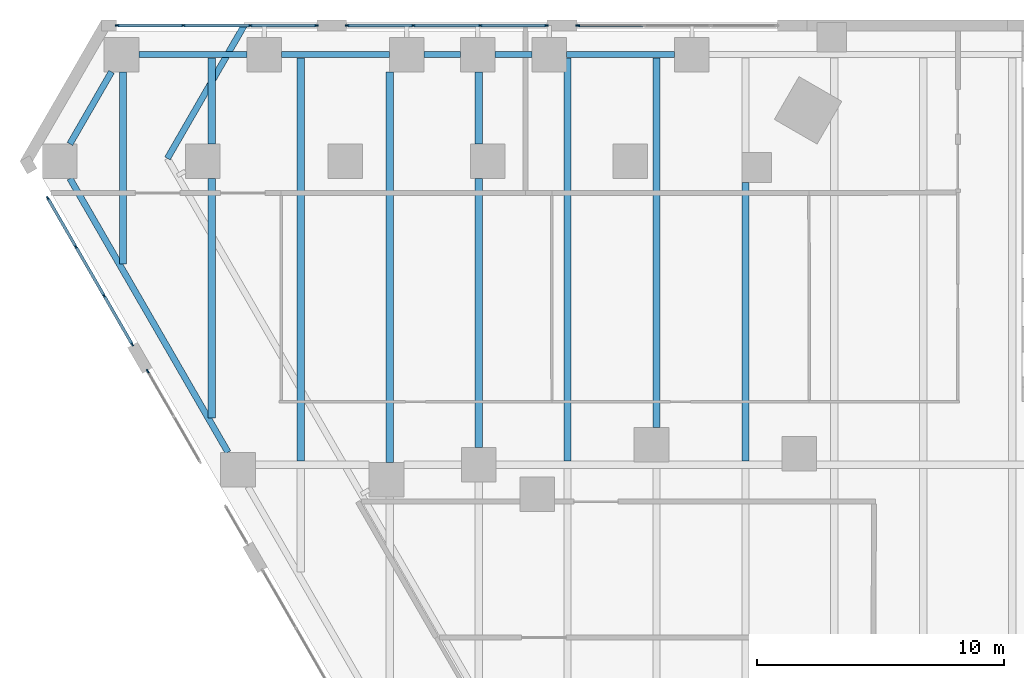
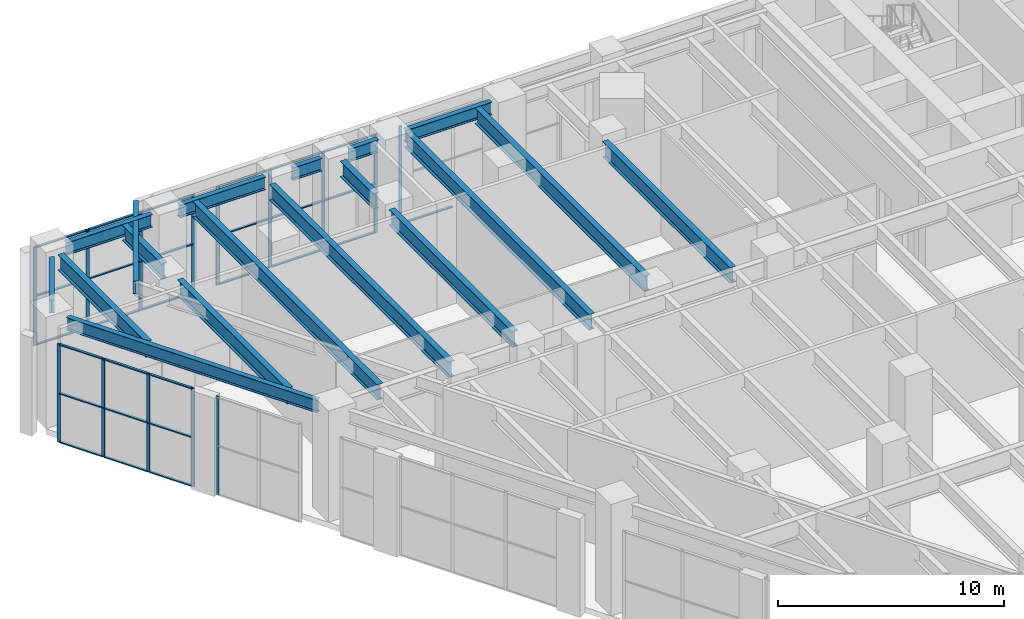
# One storey, part 15 of 37: 42 members, 18 beams, 5 elements without a shape of their own.
"""IFC4 building model written with IfcOpenShell, lengths in metres."""

from ifc_helpers import new_model, si_unit, direction, frame, origin, origin_2d, place, context, subcontext, project, spatial, rectangle, i_section, extrude, material, material_profile, profile_set, type_object, element, aggregate, save


model = new_model("IFC4")

# Units and contexts
model_context = context("Model", 3, precision=1e-05, world=origin(), true_north=direction((0.0, 1.0)))
body_context = subcontext(model_context, "Body", "Model", "MODEL_VIEW")
ifc_project = project(units=[si_unit("LENGTHUNIT", "METRE"), si_unit("AREAUNIT", "SQUARE_METRE"), si_unit("VOLUMEUNIT", "CUBIC_METRE"), si_unit("PLANEANGLEUNIT", "RADIAN"), si_unit("MASSUNIT", "GRAM", prefix="KILO")], contexts=[model_context])

# Site, building, storey
site_placement = place(None, origin())
site = spatial("IfcSite", under=ifc_project, at=site_placement, CompositionType="ELEMENT")
building_placement = place(site_placement, origin())
building = spatial("IfcBuilding", under=site, at=building_placement, Name="Aloe Facet Convention Tower", CompositionType="ELEMENT")
storey_placement = place(building_placement, frame((0.0, 0.0, 7.5)))
storey = spatial("IfcBuildingStorey", under=building, at=storey_placement, Name="L01", CompositionType="ELEMENT", Elevation=7.5)

# Beam
ifc_material_1 = material(Name="Steel S355", Category="steel")
ifc_material_profile_1 = material_profile(ifc_material_1, i_section(OverallWidth=0.25439453125, OverallDepth=0.6875, WebThickness=0.01318359375, FlangeThickness=0.02099609375, FilletRadius=0.01513671875, at=origin_2d()), Name="UB 686x254x152")
ifc_profile_set_1 = profile_set([ifc_material_profile_1], Name="Steel S355")
beam_type_1 = type_object("IfcBeamType", Name="EV-EB-UB686x254x152", PredefinedType="BEAM", material=ifc_profile_set_1)
beam_1_placement = place(storey_placement, frame((34.506103515625, 134.77490234375, 5.356201171875), z_axis=(-0.500016243463, -0.866016025414, 0.0), x_axis=(0.866016025414, -0.500016243463, 0.0)))
element("IfcBeam", 1, at=beam_1_placement, inside=storey, type_object=beam_type_1, Name="EB-L02-A", PredefinedType="BEAM", context=body_context, shape_type="SweptSolid", body=[
    extrude(i_section(OverallWidth=0.25439453125, OverallDepth=0.6875, WebThickness=0.01318359375, FlangeThickness=0.02099609375, FilletRadius=0.01513671875, at=origin_2d()), origin(), (0.0, 0.0, 1.0), 6.210205078125),
])

# Curtain wall, member
ifc_material_2 = material(Name="Aluminium, anodised", Category="aluminium")
curtain_wall_type = type_object("IfcCurtainWallType", Name="EV-CW-SHOP", PredefinedType="USERDEFINED", material=ifc_material_2)
curtain_wall_1_placement = place(storey_placement, origin())
curtain_wall_1 = element("IfcCurtainWall", 2, at=curtain_wall_1_placement, inside=storey, type_object=curtain_wall_type, Name="CW-L01-N18", ObjectType="STICK SHOPFRONT GLAZING", PredefinedType="USERDEFINED")
ifc_material_3 = material(Name="Aluminium, anodised", Category="aluminium")
ifc_material_profile_2 = material_profile(ifc_material_3, rectangle(XDim=0.06005859375, YDim=0.159912109375, at=origin_2d()), Name="AL 60x160")
ifc_profile_set_2 = profile_set([ifc_material_profile_2], Name="Aluminium, anodised")
member_type_1 = type_object("IfcMemberType", Name="EV-MULL-SHOP", PredefinedType="MULLION", material=ifc_profile_set_2)
member_1_placement = place(storey_placement, frame((48.005126953125, 134.77490234375, -0.300048828125), z_axis=(0.0, 0.0, 1.0), x_axis=(0.0, -1.0, 0.0)))
member_1 = element("IfcMember", 3, at=member_1_placement, type_object=member_type_1, Name="CW-L01-N18 mullion 4", PredefinedType="MULLION", context=body_context, shape_type="SweptSolid", body=[
    extrude(rectangle(XDim=0.06005859375, YDim=0.159912109375, at=origin_2d()), origin(), (0.0, 0.0, 1.0), 5.3125),
])

# Curtain wall, members
curtain_wall_2_placement = place(storey_placement, origin())
curtain_wall_2 = element("IfcCurtainWall", 4, at=curtain_wall_2_placement, inside=storey, type_object=curtain_wall_type, Name="CW-L01-N20", ObjectType="STICK SHOPFRONT GLAZING", PredefinedType="USERDEFINED")
member_2_placement = place(storey_placement, frame((46.7451171875, 134.77490234375, -0.300048828125), z_axis=(0.0, 0.0, 1.0), x_axis=(0.0, -1.0, 0.0)))
member_2 = element("IfcMember", 5, at=member_2_placement, type_object=member_type_1, Name="CW-L01-N20 mullion 1", PredefinedType="MULLION", context=body_context, shape_type="SweptSolid", body=[
    extrude(rectangle(XDim=0.06005859375, YDim=0.159912109375, at=origin_2d()), origin(), (0.0, 0.0, 1.0), 5.3125),
])
member_3_placement = place(storey_placement, frame((44.068115234375, 134.77490234375, -0.300048828125), z_axis=(0.0, 0.0, 1.0), x_axis=(0.0, -1.0, 0.0)))
member_3 = element("IfcMember", 6, at=member_3_placement, type_object=member_type_1, Name="CW-L01-N20 mullion 2", PredefinedType="MULLION", context=body_context, shape_type="SweptSolid", body=[
    extrude(rectangle(XDim=0.06005859375, YDim=0.159912109375, at=origin_2d()), origin(), (0.0, 0.0, 1.0), 5.3125),
])
member_4_placement = place(storey_placement, frame((41.361083984375, 134.77490234375, -0.300048828125), z_axis=(0.0, 0.0, 1.0), x_axis=(0.0, -1.0, 0.0)))
member_4 = element("IfcMember", 7, at=member_4_placement, type_object=member_type_1, Name="CW-L01-N20 mullion 3", PredefinedType="MULLION", context=body_context, shape_type="SweptSolid", body=[
    extrude(rectangle(XDim=0.06005859375, YDim=0.159912109375, at=origin_2d()), origin(), (0.0, 0.0, 1.0), 5.3125),
])
member_5_placement = place(storey_placement, frame((38.683837890625, 134.77490234375, -0.300048828125), z_axis=(0.0, 0.0, 1.0), x_axis=(0.0, -1.0, 0.0)))
member_5 = element("IfcMember", 8, at=member_5_placement, type_object=member_type_1, Name="CW-L01-N20 mullion 4", PredefinedType="MULLION", context=body_context, shape_type="SweptSolid", body=[
    extrude(rectangle(XDim=0.06005859375, YDim=0.159912109375, at=origin_2d()), origin(), (0.0, 0.0, 1.0), 5.3125),
])

curtain_wall_3_placement = place(storey_placement, origin())
curtain_wall_3 = element("IfcCurtainWall", 9, at=curtain_wall_3_placement, inside=storey, type_object=curtain_wall_type, Name="CW-L01-N22", ObjectType="STICK SHOPFRONT GLAZING", PredefinedType="USERDEFINED")
member_6_placement = place(storey_placement, frame((37.423828125, 134.77490234375, -0.300048828125), z_axis=(0.0, 0.0, 1.0), x_axis=(0.0, -1.0, 0.0)))
member_6 = element("IfcMember", 10, at=member_6_placement, type_object=member_type_1, Name="CW-L01-N22 mullion 1", PredefinedType="MULLION", context=body_context, shape_type="SweptSolid", body=[
    extrude(rectangle(XDim=0.06005859375, YDim=0.159912109375, at=origin_2d()), origin(), (0.0, 0.0, 1.0), 5.3125),
])
member_7_placement = place(storey_placement, frame((34.746826171875, 134.77490234375, -0.300048828125), z_axis=(0.0, 0.0, 1.0), x_axis=(0.0, -1.0, 0.0)))
member_7 = element("IfcMember", 11, at=member_7_placement, type_object=member_type_1, Name="CW-L01-N22 mullion 2", PredefinedType="MULLION", context=body_context, shape_type="SweptSolid", body=[
    extrude(rectangle(XDim=0.06005859375, YDim=0.159912109375, at=origin_2d()), origin(), (0.0, 0.0, 1.0), 5.3125),
])
member_8_placement = place(storey_placement, frame((32.03955078125, 134.77490234375, -0.300048828125), z_axis=(0.0, 0.0, 1.0), x_axis=(0.0, -1.0, 0.0)))
member_8 = element("IfcMember", 12, at=member_8_placement, type_object=member_type_1, Name="CW-L01-N22 mullion 3", PredefinedType="MULLION", context=body_context, shape_type="SweptSolid", body=[
    extrude(rectangle(XDim=0.06005859375, YDim=0.159912109375, at=origin_2d()), origin(), (0.0, 0.0, 1.0), 5.3125),
])
member_9_placement = place(storey_placement, frame((29.362548828125, 134.77490234375, -0.300048828125), z_axis=(0.0, 0.0, 1.0), x_axis=(0.0, -1.0, 0.0)))
member_9 = element("IfcMember", 13, at=member_9_placement, type_object=member_type_1, Name="CW-L01-N22 mullion 4", PredefinedType="MULLION", context=body_context, shape_type="SweptSolid", body=[
    extrude(rectangle(XDim=0.06005859375, YDim=0.159912109375, at=origin_2d()), origin(), (0.0, 0.0, 1.0), 5.3125),
])

curtain_wall_4_placement = place(storey_placement, origin())
curtain_wall_4 = element("IfcCurtainWall", 14, at=curtain_wall_4_placement, inside=storey, type_object=curtain_wall_type, Name="CW-L01-W02", ObjectType="STICK SHOPFRONT GLAZING", PredefinedType="USERDEFINED")
member_10_placement = place(storey_placement, frame((26.558837890625, 127.783447265625, -0.300048828125), z_axis=(0.0, 0.0, 1.0), x_axis=(0.866025403828, 0.499999999924, 0.0)))
member_10 = element("IfcMember", 15, at=member_10_placement, type_object=member_type_1, Name="CW-L01-W02 mullion 1", PredefinedType="MULLION", context=body_context, shape_type="SweptSolid", body=[
    extrude(rectangle(XDim=0.06005859375, YDim=0.159912109375, at=origin_2d()), origin(), (0.0, 0.0, 1.0), 5.3125),
])
member_11_placement = place(storey_placement, frame((27.69189453125, 125.82080078125, -0.300048828125), z_axis=(0.0, 0.0, 1.0), x_axis=(0.866025403828, 0.499999999924, 0.0)))
member_11 = element("IfcMember", 16, at=member_11_placement, type_object=member_type_1, Name="CW-L01-W02 mullion 2", PredefinedType="MULLION", context=body_context, shape_type="SweptSolid", body=[
    extrude(rectangle(XDim=0.06005859375, YDim=0.159912109375, at=origin_2d()), origin(), (0.0, 0.0, 1.0), 5.3125),
])
member_12_placement = place(storey_placement, frame((28.83984375, 123.832275390625, -0.300048828125), z_axis=(0.0, 0.0, 1.0), x_axis=(0.866025403828, 0.499999999924, 0.0)))
member_12 = element("IfcMember", 17, at=member_12_placement, type_object=member_type_1, Name="CW-L01-W02 mullion 3", PredefinedType="MULLION", context=body_context, shape_type="SweptSolid", body=[
    extrude(rectangle(XDim=0.06005859375, YDim=0.159912109375, at=origin_2d()), origin(), (0.0, 0.0, 1.0), 5.3125),
])
member_13_placement = place(storey_placement, frame((29.97314453125, 121.869873046875, -0.300048828125), z_axis=(0.0, 0.0, 1.0), x_axis=(0.866025403828, 0.499999999924, 0.0)))
member_13 = element("IfcMember", 18, at=member_13_placement, type_object=member_type_1, Name="CW-L01-W02 mullion 4", PredefinedType="MULLION", context=body_context, shape_type="SweptSolid", body=[
    extrude(rectangle(XDim=0.06005859375, YDim=0.159912109375, at=origin_2d()), origin(), (0.0, 0.0, 1.0), 5.3125),
])

# Curtain wall, member
curtain_wall_5_placement = place(storey_placement, origin())
curtain_wall_5 = element("IfcCurtainWall", 19, at=curtain_wall_5_placement, inside=storey, type_object=curtain_wall_type, Name="CW-L01-W04-1", ObjectType="STICK SHOPFRONT GLAZING", PredefinedType="USERDEFINED")
member_14_placement = place(storey_placement, frame((30.60302734375, 120.778564453125, -0.300048828125), z_axis=(0.0, 0.0, 1.0), x_axis=(0.866025403767, 0.50000000003, 0.0)))
member_14 = element("IfcMember", 20, at=member_14_placement, type_object=member_type_1, Name="CW-L01-W04-1 mullion 1", PredefinedType="MULLION", context=body_context, shape_type="SweptSolid", body=[
    extrude(rectangle(XDim=0.06005859375, YDim=0.159912109375, at=origin_2d()), origin(), (0.0, 0.0, 1.0), 5.3125),
])
aggregate(curtain_wall_5, [member_14])

# Member
ifc_material_4 = material(Name="Aluminium, anodised", Category="aluminium")
ifc_material_profile_3 = material_profile(ifc_material_4, rectangle(XDim=0.1201171875, YDim=0.06005859375, at=origin_2d()), Name="AL 120x60")
ifc_profile_set_3 = profile_set([ifc_material_profile_3], Name="Aluminium, anodised")
member_type_2 = type_object("IfcMemberType", Name="EV-TRAN-SHOP", PredefinedType="USERDEFINED", material=ifc_profile_set_3)
member_15_placement = place(storey_placement, frame((50.65234375, 134.77490234375, -0.27001953125), z_axis=(-1.0, 0.0, 0.0), x_axis=(0.0, -1.0, 0.0)))
member_15 = element("IfcMember", 21, at=member_15_placement, type_object=member_type_2, Name="CW-L01-N18 transom 3.1", ObjectType="TRANSOM", PredefinedType="USERDEFINED", context=body_context, shape_type="SweptSolid", body=[
    extrude(rectangle(XDim=0.1201171875, YDim=0.06005859375, at=origin_2d()), origin(), (0.0, 0.0, 1.0), 2.6171875),
])

aggregate(curtain_wall_1, [member_1, member_15])

member_16_placement = place(storey_placement, frame((46.71533203125, 134.77490234375, -0.27001953125), z_axis=(-1.0, 0.0, 0.0), x_axis=(0.0, -1.0, 0.0)))
member_16 = element("IfcMember", 22, at=member_16_placement, type_object=member_type_2, Name="CW-L01-N20 transom 1.1", ObjectType="TRANSOM", PredefinedType="USERDEFINED", context=body_context, shape_type="SweptSolid", body=[
    extrude(rectangle(XDim=0.1201171875, YDim=0.06005859375, at=origin_2d()), origin(), (0.0, 0.0, 1.0), 2.6171875),
])

member_17_placement = place(storey_placement, frame((46.71533203125, 134.77490234375, 2.356201171875), z_axis=(-1.0, 0.0, 0.0), x_axis=(0.0, -1.0, 0.0)))
member_17 = element("IfcMember", 23, at=member_17_placement, type_object=member_type_2, Name="CW-L01-N20 transom 1.2", ObjectType="TRANSOM", PredefinedType="USERDEFINED", context=body_context, shape_type="SweptSolid", body=[
    extrude(rectangle(XDim=0.1201171875, YDim=0.06005859375, at=origin_2d()), origin(), (0.0, 0.0, 1.0), 2.6171875),
])

member_18_placement = place(storey_placement, frame((46.71533203125, 134.77490234375, 4.982421875), z_axis=(-1.0, 0.0, 0.0), x_axis=(0.0, -1.0, 0.0)))
member_18 = element("IfcMember", 24, at=member_18_placement, type_object=member_type_2, Name="CW-L01-N20 transom 1.3", ObjectType="TRANSOM", PredefinedType="USERDEFINED", context=body_context, shape_type="SweptSolid", body=[
    extrude(rectangle(XDim=0.1201171875, YDim=0.06005859375, at=origin_2d()), origin(), (0.0, 0.0, 1.0), 2.6171875),
])

member_19_placement = place(storey_placement, frame((44.0380859375, 134.77490234375, -0.27001953125), z_axis=(-1.0, 0.0, 0.0), x_axis=(0.0, -1.0, 0.0)))
member_19 = element("IfcMember", 25, at=member_19_placement, type_object=member_type_2, Name="CW-L01-N20 transom 2.1", ObjectType="TRANSOM", PredefinedType="USERDEFINED", context=body_context, shape_type="SweptSolid", body=[
    extrude(rectangle(XDim=0.1201171875, YDim=0.06005859375, at=origin_2d()), origin(), (0.0, 0.0, 1.0), 2.647216796875),
])

member_20_placement = place(storey_placement, frame((44.0380859375, 134.77490234375, 2.356201171875), z_axis=(-1.0, 0.0, 0.0), x_axis=(0.0, -1.0, 0.0)))
member_20 = element("IfcMember", 26, at=member_20_placement, type_object=member_type_2, Name="CW-L01-N20 transom 2.2", ObjectType="TRANSOM", PredefinedType="USERDEFINED", context=body_context, shape_type="SweptSolid", body=[
    extrude(rectangle(XDim=0.1201171875, YDim=0.06005859375, at=origin_2d()), origin(), (0.0, 0.0, 1.0), 2.647216796875),
])

member_21_placement = place(storey_placement, frame((44.0380859375, 134.77490234375, 4.982421875), z_axis=(-1.0, 0.0, 0.0), x_axis=(0.0, -1.0, 0.0)))
member_21 = element("IfcMember", 27, at=member_21_placement, type_object=member_type_2, Name="CW-L01-N20 transom 2.3", ObjectType="TRANSOM", PredefinedType="USERDEFINED", context=body_context, shape_type="SweptSolid", body=[
    extrude(rectangle(XDim=0.1201171875, YDim=0.06005859375, at=origin_2d()), origin(), (0.0, 0.0, 1.0), 2.647216796875),
])

member_22_placement = place(storey_placement, frame((41.3310546875, 134.77490234375, -0.27001953125), z_axis=(-1.0, 0.0, 0.0), x_axis=(0.0, -1.0, 0.0)))
member_22 = element("IfcMember", 28, at=member_22_placement, type_object=member_type_2, Name="CW-L01-N20 transom 3.1", ObjectType="TRANSOM", PredefinedType="USERDEFINED", context=body_context, shape_type="SweptSolid", body=[
    extrude(rectangle(XDim=0.1201171875, YDim=0.06005859375, at=origin_2d()), origin(), (0.0, 0.0, 1.0), 2.6171875),
])

member_23_placement = place(storey_placement, frame((41.3310546875, 134.77490234375, 2.356201171875), z_axis=(-1.0, 0.0, 0.0), x_axis=(0.0, -1.0, 0.0)))
member_23 = element("IfcMember", 29, at=member_23_placement, type_object=member_type_2, Name="CW-L01-N20 transom 3.2", ObjectType="TRANSOM", PredefinedType="USERDEFINED", context=body_context, shape_type="SweptSolid", body=[
    extrude(rectangle(XDim=0.1201171875, YDim=0.06005859375, at=origin_2d()), origin(), (0.0, 0.0, 1.0), 2.6171875),
])

member_24_placement = place(storey_placement, frame((41.3310546875, 134.77490234375, 4.982421875), z_axis=(-1.0, 0.0, 0.0), x_axis=(0.0, -1.0, 0.0)))
member_24 = element("IfcMember", 30, at=member_24_placement, type_object=member_type_2, Name="CW-L01-N20 transom 3.3", ObjectType="TRANSOM", PredefinedType="USERDEFINED", context=body_context, shape_type="SweptSolid", body=[
    extrude(rectangle(XDim=0.1201171875, YDim=0.06005859375, at=origin_2d()), origin(), (0.0, 0.0, 1.0), 2.6171875),
])

aggregate(curtain_wall_2, [member_2, member_3, member_4, member_5, member_16, member_17, member_18, member_19, member_20, member_21, member_22, member_23, member_24])

member_25_placement = place(storey_placement, frame((37.393798828125, 134.77490234375, -0.27001953125), z_axis=(-1.0, 0.0, 0.0), x_axis=(0.0, -1.0, 0.0)))
member_25 = element("IfcMember", 31, at=member_25_placement, type_object=member_type_2, Name="CW-L01-N22 transom 1.1", ObjectType="TRANSOM", PredefinedType="USERDEFINED", context=body_context, shape_type="SweptSolid", body=[
    extrude(rectangle(XDim=0.1201171875, YDim=0.06005859375, at=origin_2d()), origin(), (0.0, 0.0, 1.0), 2.6171875),
])

member_26_placement = place(storey_placement, frame((37.393798828125, 134.77490234375, 2.356201171875), z_axis=(-1.0, 0.0, 0.0), x_axis=(0.0, -1.0, 0.0)))
member_26 = element("IfcMember", 32, at=member_26_placement, type_object=member_type_2, Name="CW-L01-N22 transom 1.2", ObjectType="TRANSOM", PredefinedType="USERDEFINED", context=body_context, shape_type="SweptSolid", body=[
    extrude(rectangle(XDim=0.1201171875, YDim=0.06005859375, at=origin_2d()), origin(), (0.0, 0.0, 1.0), 2.6171875),
])

member_27_placement = place(storey_placement, frame((37.393798828125, 134.77490234375, 4.982421875), z_axis=(-1.0, 0.0, 0.0), x_axis=(0.0, -1.0, 0.0)))
member_27 = element("IfcMember", 33, at=member_27_placement, type_object=member_type_2, Name="CW-L01-N22 transom 1.3", ObjectType="TRANSOM", PredefinedType="USERDEFINED", context=body_context, shape_type="SweptSolid", body=[
    extrude(rectangle(XDim=0.1201171875, YDim=0.06005859375, at=origin_2d()), origin(), (0.0, 0.0, 1.0), 2.6171875),
])

member_28_placement = place(storey_placement, frame((34.716796875, 134.77490234375, -0.27001953125), z_axis=(-1.0, 0.0, 0.0), x_axis=(0.0, -1.0, 0.0)))
member_28 = element("IfcMember", 34, at=member_28_placement, type_object=member_type_2, Name="CW-L01-N22 transom 2.1", ObjectType="TRANSOM", PredefinedType="USERDEFINED", context=body_context, shape_type="SweptSolid", body=[
    extrude(rectangle(XDim=0.1201171875, YDim=0.06005859375, at=origin_2d()), origin(), (0.0, 0.0, 1.0), 2.647216796875),
])

member_29_placement = place(storey_placement, frame((34.716796875, 134.77490234375, 2.356201171875), z_axis=(-1.0, 0.0, 0.0), x_axis=(0.0, -1.0, 0.0)))
member_29 = element("IfcMember", 35, at=member_29_placement, type_object=member_type_2, Name="CW-L01-N22 transom 2.2", ObjectType="TRANSOM", PredefinedType="USERDEFINED", context=body_context, shape_type="SweptSolid", body=[
    extrude(rectangle(XDim=0.1201171875, YDim=0.06005859375, at=origin_2d()), origin(), (0.0, 0.0, 1.0), 2.647216796875),
])

member_30_placement = place(storey_placement, frame((34.716796875, 134.77490234375, 4.982421875), z_axis=(-1.0, 0.0, 0.0), x_axis=(0.0, -1.0, 0.0)))
member_30 = element("IfcMember", 36, at=member_30_placement, type_object=member_type_2, Name="CW-L01-N22 transom 2.3", ObjectType="TRANSOM", PredefinedType="USERDEFINED", context=body_context, shape_type="SweptSolid", body=[
    extrude(rectangle(XDim=0.1201171875, YDim=0.06005859375, at=origin_2d()), origin(), (0.0, 0.0, 1.0), 2.647216796875),
])

member_31_placement = place(storey_placement, frame((32.009521484375, 134.77490234375, -0.27001953125), z_axis=(-1.0, 0.0, 0.0), x_axis=(0.0, -1.0, 0.0)))
member_31 = element("IfcMember", 37, at=member_31_placement, type_object=member_type_2, Name="CW-L01-N22 transom 3.1", ObjectType="TRANSOM", PredefinedType="USERDEFINED", context=body_context, shape_type="SweptSolid", body=[
    extrude(rectangle(XDim=0.1201171875, YDim=0.06005859375, at=origin_2d()), origin(), (0.0, 0.0, 1.0), 2.616943359375),
])

member_32_placement = place(storey_placement, frame((32.009521484375, 134.77490234375, 2.356201171875), z_axis=(-1.0, 0.0, 0.0), x_axis=(0.0, -1.0, 0.0)))
member_32 = element("IfcMember", 38, at=member_32_placement, type_object=member_type_2, Name="CW-L01-N22 transom 3.2", ObjectType="TRANSOM", PredefinedType="USERDEFINED", context=body_context, shape_type="SweptSolid", body=[
    extrude(rectangle(XDim=0.1201171875, YDim=0.06005859375, at=origin_2d()), origin(), (0.0, 0.0, 1.0), 2.616943359375),
])

member_33_placement = place(storey_placement, frame((32.009521484375, 134.77490234375, 4.982421875), z_axis=(-1.0, 0.0, 0.0), x_axis=(0.0, -1.0, 0.0)))
member_33 = element("IfcMember", 39, at=member_33_placement, type_object=member_type_2, Name="CW-L01-N22 transom 3.3", ObjectType="TRANSOM", PredefinedType="USERDEFINED", context=body_context, shape_type="SweptSolid", body=[
    extrude(rectangle(XDim=0.1201171875, YDim=0.06005859375, at=origin_2d()), origin(), (0.0, 0.0, 1.0), 2.616943359375),
])

aggregate(curtain_wall_3, [member_6, member_7, member_8, member_9, member_25, member_26, member_27, member_28, member_29, member_30, member_31, member_32, member_33])

member_34_placement = place(storey_placement, frame((26.57373046875, 127.75732421875, -0.27001953125), z_axis=(0.500102430372, -0.865966257504, 0.0), x_axis=(0.865966257504, 0.500102430372, 0.0)))
member_34 = element("IfcMember", 40, at=member_34_placement, type_object=member_type_2, Name="CW-L01-W02 transom 1.1", ObjectType="TRANSOM", PredefinedType="USERDEFINED", context=body_context, shape_type="SweptSolid", body=[
    extrude(rectangle(XDim=0.1201171875, YDim=0.06005859375, at=origin_2d()), origin(), (0.0, 0.0, 1.0), 2.2060546875),
])

member_35_placement = place(storey_placement, frame((26.57373046875, 127.75732421875, 2.356201171875), z_axis=(0.500102430372, -0.865966257504, 0.0), x_axis=(0.865966257504, 0.500102430372, 0.0)))
member_35 = element("IfcMember", 41, at=member_35_placement, type_object=member_type_2, Name="CW-L01-W02 transom 1.2", ObjectType="TRANSOM", PredefinedType="USERDEFINED", context=body_context, shape_type="SweptSolid", body=[
    extrude(rectangle(XDim=0.1201171875, YDim=0.06005859375, at=origin_2d()), origin(), (0.0, 0.0, 1.0), 2.2060546875),
])

member_36_placement = place(storey_placement, frame((26.57373046875, 127.75732421875, 4.982421875), z_axis=(0.500102430372, -0.865966257504, 0.0), x_axis=(0.865966257504, 0.500102430372, 0.0)))
member_36 = element("IfcMember", 42, at=member_36_placement, type_object=member_type_2, Name="CW-L01-W02 transom 1.3", ObjectType="TRANSOM", PredefinedType="USERDEFINED", context=body_context, shape_type="SweptSolid", body=[
    extrude(rectangle(XDim=0.1201171875, YDim=0.06005859375, at=origin_2d()), origin(), (0.0, 0.0, 1.0), 2.2060546875),
])

member_37_placement = place(storey_placement, frame((27.706787109375, 125.794921875, -0.27001953125), z_axis=(0.500037474894, -0.866003766563, 0.0), x_axis=(0.866003766563, 0.500037474894, 0.0)))
member_37 = element("IfcMember", 43, at=member_37_placement, type_object=member_type_2, Name="CW-L01-W02 transom 2.1", ObjectType="TRANSOM", PredefinedType="USERDEFINED", context=body_context, shape_type="SweptSolid", body=[
    extrude(rectangle(XDim=0.1201171875, YDim=0.06005859375, at=origin_2d()), origin(), (0.0, 0.0, 1.0), 2.236083984375),
])

member_38_placement = place(storey_placement, frame((27.706787109375, 125.794921875, 2.356201171875), z_axis=(0.500037474894, -0.866003766563, 0.0), x_axis=(0.866003766563, 0.500037474894, 0.0)))
member_38 = element("IfcMember", 44, at=member_38_placement, type_object=member_type_2, Name="CW-L01-W02 transom 2.2", ObjectType="TRANSOM", PredefinedType="USERDEFINED", context=body_context, shape_type="SweptSolid", body=[
    extrude(rectangle(XDim=0.1201171875, YDim=0.06005859375, at=origin_2d()), origin(), (0.0, 0.0, 1.0), 2.236083984375),
])

member_39_placement = place(storey_placement, frame((27.706787109375, 125.794921875, 4.982421875), z_axis=(0.500037474894, -0.866003766563, 0.0), x_axis=(0.866003766563, 0.500037474894, 0.0)))
member_39 = element("IfcMember", 45, at=member_39_placement, type_object=member_type_2, Name="CW-L01-W02 transom 2.3", ObjectType="TRANSOM", PredefinedType="USERDEFINED", context=body_context, shape_type="SweptSolid", body=[
    extrude(rectangle(XDim=0.1201171875, YDim=0.06005859375, at=origin_2d()), origin(), (0.0, 0.0, 1.0), 2.236083984375),
])

member_40_placement = place(storey_placement, frame((28.85498046875, 123.806396484375, -0.27001953125), z_axis=(0.499971514742, -0.866041849131, 0.0), x_axis=(0.866041849131, 0.499971514742, 0.0)))
member_40 = element("IfcMember", 46, at=member_40_placement, type_object=member_type_2, Name="CW-L01-W02 transom 3.1", ObjectType="TRANSOM", PredefinedType="USERDEFINED", context=body_context, shape_type="SweptSolid", body=[
    extrude(rectangle(XDim=0.1201171875, YDim=0.06005859375, at=origin_2d()), origin(), (0.0, 0.0, 1.0), 2.206298828125),
])

member_41_placement = place(storey_placement, frame((28.85498046875, 123.806396484375, 2.356201171875), z_axis=(0.499971514742, -0.866041849131, 0.0), x_axis=(0.866041849131, 0.499971514742, 0.0)))
member_41 = element("IfcMember", 47, at=member_41_placement, type_object=member_type_2, Name="CW-L01-W02 transom 3.2", ObjectType="TRANSOM", PredefinedType="USERDEFINED", context=body_context, shape_type="SweptSolid", body=[
    extrude(rectangle(XDim=0.1201171875, YDim=0.06005859375, at=origin_2d()), origin(), (0.0, 0.0, 1.0), 2.206298828125),
])

member_42_placement = place(storey_placement, frame((28.85498046875, 123.806396484375, 4.982421875), z_axis=(0.499971514742, -0.866041849131, 0.0), x_axis=(0.866041849131, 0.499971514742, 0.0)))
member_42 = element("IfcMember", 48, at=member_42_placement, type_object=member_type_2, Name="CW-L01-W02 transom 3.3", ObjectType="TRANSOM", PredefinedType="USERDEFINED", context=body_context, shape_type="SweptSolid", body=[
    extrude(rectangle(XDim=0.1201171875, YDim=0.06005859375, at=origin_2d()), origin(), (0.0, 0.0, 1.0), 2.206298828125),
])

aggregate(curtain_wall_4, [member_10, member_11, member_12, member_13, member_34, member_35, member_36, member_37, member_38, member_39, member_40, member_41, member_42])

# Beams
ifc_material_5 = material(Name="Steel S355", Category="steel")
ifc_material_profile_4 = material_profile(ifc_material_5, i_section(OverallWidth=0.25439453125, OverallDepth=0.6875, WebThickness=0.01318359375, FlangeThickness=0.02099609375, FilletRadius=0.01513671875, at=origin_2d()), Name="UB 686x254x152")
ifc_profile_set_4 = profile_set([ifc_material_profile_4], Name="Steel S355")
beam_type_2 = type_object("IfcBeamType", Name="SF-B-UB686x254x152", PredefinedType="BEAM", material=ifc_profile_set_4)
beam_2_placement = place(storey_placement, frame((27.453125, 129.98388671875, 5.356201171875), z_axis=(0.500006981563, 0.86602137294, 0.0), x_axis=(-0.86602137294, 0.500006981563, 0.0)))
element("IfcBeam", 49, at=beam_2_placement, inside=storey, type_object=beam_type_2, Name="Floor beam FB-L02-001", PredefinedType="BEAM", context=body_context, shape_type="SweptSolid", body=[
    extrude(i_section(OverallWidth=0.25439453125, OverallDepth=0.6875, WebThickness=0.01318359375, FlangeThickness=0.02099609375, FilletRadius=0.01513671875, at=origin_2d()), origin(), (0.0, 0.0, 1.0), 3.3671875),
])
beam_3_placement = place(storey_placement, frame((30.240966796875, 133.60009765625, 5.356201171875), z_axis=(1.0, 0.0, 0.0), x_axis=(0.0, 1.0, 0.0)))
element("IfcBeam", 50, at=beam_3_placement, inside=storey, type_object=beam_type_2, Name="Floor beam FB-L02-002", PredefinedType="BEAM", context=body_context, shape_type="SweptSolid", body=[
    extrude(i_section(OverallWidth=0.25439453125, OverallDepth=0.6875, WebThickness=0.01318359375, FlangeThickness=0.02099609375, FilletRadius=0.01513671875, at=origin_2d()), origin(), (0.0, 0.0, 1.0), 4.373046875),
])
beam_4_placement = place(storey_placement, frame((33.853271484375, 117.4990234375, 5.356201171875), z_axis=(-0.499999833739, 0.866025499775, 0.0), x_axis=(-0.866025499775, -0.499999833739, 0.0)))
element("IfcBeam", 51, at=beam_4_placement, inside=storey, type_object=beam_type_2, Name="Floor beam FB-L02-003", PredefinedType="BEAM", context=body_context, shape_type="SweptSolid", body=[
    extrude(i_section(OverallWidth=0.25439453125, OverallDepth=0.6875, WebThickness=0.01318359375, FlangeThickness=0.02099609375, FilletRadius=0.01513671875, at=origin_2d()), origin(), (0.0, 0.0, 1.0), 12.7998046875),
])
beam_5_placement = place(storey_placement, frame((36.013916015625, 133.60009765625, 5.356201171875), z_axis=(1.0, 0.0, 0.0), x_axis=(0.0, 1.0, 0.0)))
element("IfcBeam", 52, at=beam_5_placement, inside=storey, type_object=beam_type_2, Name="Floor beam FB-L02-004", PredefinedType="BEAM", context=body_context, shape_type="SweptSolid", body=[
    extrude(i_section(OverallWidth=0.25439453125, OverallDepth=0.6875, WebThickness=0.01318359375, FlangeThickness=0.02099609375, FilletRadius=0.01513671875, at=origin_2d()), origin(), (0.0, 0.0, 1.0), 4.3740234375),
])
beam_6_placement = place(storey_placement, frame((41.7880859375, 133.60009765625, 5.356201171875), z_axis=(1.0, 0.0, 0.0), x_axis=(0.0, 1.0, 0.0)))
element("IfcBeam", 53, at=beam_6_placement, inside=storey, type_object=beam_type_2, Name="Floor beam FB-L02-006", PredefinedType="BEAM", context=body_context, shape_type="SweptSolid", body=[
    extrude(i_section(OverallWidth=0.25439453125, OverallDepth=0.6875, WebThickness=0.01318359375, FlangeThickness=0.02099609375, FilletRadius=0.01513671875, at=origin_2d()), origin(), (0.0, 0.0, 1.0), 1.469970703125),
])
beam_7_placement = place(storey_placement, frame((44.657958984375, 133.60009765625, 5.356201171875), z_axis=(1.0, 0.0, 0.0), x_axis=(0.0, 1.0, 0.0)))
element("IfcBeam", 54, at=beam_7_placement, inside=storey, type_object=beam_type_2, Name="Floor beam FB-L02-007", PredefinedType="BEAM", context=body_context, shape_type="SweptSolid", body=[
    extrude(i_section(OverallWidth=0.25439453125, OverallDepth=0.6875, WebThickness=0.01318359375, FlangeThickness=0.02099609375, FilletRadius=0.01513671875, at=origin_2d()), origin(), (0.0, 0.0, 1.0), 1.5029296875),
])
beam_8_placement = place(storey_placement, frame((47.56103515625, 133.60009765625, 5.356201171875), z_axis=(1.0, 0.0, 0.0), x_axis=(0.0, 1.0, 0.0)))
element("IfcBeam", 55, at=beam_8_placement, inside=storey, type_object=beam_type_2, Name="Floor beam FB-L02-008", PredefinedType="BEAM", context=body_context, shape_type="SweptSolid", body=[
    extrude(i_section(OverallWidth=0.25439453125, OverallDepth=0.6875, WebThickness=0.01318359375, FlangeThickness=0.02099609375, FilletRadius=0.01513671875, at=origin_2d()), origin(), (0.0, 0.0, 1.0), 4.3740234375),
])
ifc_material_6 = material(Name="Steel S355", Category="steel")
ifc_material_profile_5 = material_profile(ifc_material_6, i_section(OverallWidth=0.293701171875, OverallDepth=0.850830078125, WebThickness=0.01611328125, FlangeThickness=0.02685546875, FilletRadius=0.017822265625, at=origin_2d()), Name="UB 838x292x226")
ifc_profile_set_5 = profile_set([ifc_material_profile_5], Name="Steel S355")
beam_type_3 = type_object("IfcBeamType", Name="SF-B-UB838x292x226", PredefinedType="BEAM", material=ifc_profile_set_5)
beam_9_placement = place(storey_placement, frame((29.60009765625, 125.13037109375, 5.2744140625), z_axis=(0.0, 1.0, 0.0), x_axis=(-1.0, 0.0, 0.0)))
element("IfcBeam", 56, at=beam_9_placement, inside=storey, type_object=beam_type_3, Name="Floor beam FB-L02-050", PredefinedType="BEAM", context=body_context, shape_type="SweptSolid", body=[
    extrude(i_section(OverallWidth=0.293701171875, OverallDepth=0.850830078125, WebThickness=0.01611328125, FlangeThickness=0.02685546875, FilletRadius=0.017822265625, at=origin_2d()), origin(), (0.0, 0.0, 1.0), 7.76953125),
])
beam_10_placement = place(storey_placement, frame((33.199951171875, 118.89501953125, 5.2744140625), z_axis=(0.0, 1.0, 0.0), x_axis=(-1.0, 0.0, 0.0)))
element("IfcBeam", 57, at=beam_10_placement, inside=storey, type_object=beam_type_3, Name="Floor beam FB-L02-051", PredefinedType="BEAM", context=body_context, shape_type="SweptSolid", body=[
    extrude(i_section(OverallWidth=0.293701171875, OverallDepth=0.850830078125, WebThickness=0.01611328125, FlangeThickness=0.02685546875, FilletRadius=0.017822265625, at=origin_2d()), origin(), (0.0, 0.0, 1.0), 9.68896484375),
])
beam_11_placement = place(storey_placement, frame((33.199951171875, 129.98388671875, 5.2744140625), z_axis=(0.0, 1.0, 0.0), x_axis=(-1.0, 0.0, 0.0)))
element("IfcBeam", 58, at=beam_11_placement, inside=storey, type_object=beam_type_3, Name="Floor beam FB-L02-052", PredefinedType="BEAM", context=body_context, shape_type="SweptSolid", body=[
    extrude(i_section(OverallWidth=0.293701171875, OverallDepth=0.850830078125, WebThickness=0.01611328125, FlangeThickness=0.02685546875, FilletRadius=0.017822265625, at=origin_2d()), origin(), (0.0, 0.0, 1.0), 3.478759765625),
])
beam_12_placement = place(storey_placement, frame((36.800048828125, 117.152587890625, 5.2744140625), z_axis=(0.0, 1.0, 0.0), x_axis=(-1.0, 0.0, 0.0)))
element("IfcBeam", 59, at=beam_12_placement, inside=storey, type_object=beam_type_3, Name="Floor beam FB-L02-054", PredefinedType="BEAM", context=body_context, shape_type="SweptSolid", body=[
    extrude(i_section(OverallWidth=0.293701171875, OverallDepth=0.850830078125, WebThickness=0.01611328125, FlangeThickness=0.02685546875, FilletRadius=0.017822265625, at=origin_2d()), origin(), (0.0, 0.0, 1.0), 16.31005859375),
])
beam_13_placement = place(storey_placement, frame((40.39990234375, 117.0849609375, 5.2744140625), z_axis=(0.0, 1.0, 0.0), x_axis=(-1.0, 0.0, 0.0)))
element("IfcBeam", 60, at=beam_13_placement, inside=storey, type_object=beam_type_3, Name="Floor beam FB-L02-056", PredefinedType="BEAM", context=body_context, shape_type="SweptSolid", body=[
    extrude(i_section(OverallWidth=0.293701171875, OverallDepth=0.850830078125, WebThickness=0.01611328125, FlangeThickness=0.02685546875, FilletRadius=0.017822265625, at=origin_2d()), origin(), (0.0, 0.0, 1.0), 15.81494140625),
])
beam_14_placement = place(storey_placement, frame((44.0, 117.699951171875, 5.2744140625), z_axis=(0.0, 1.0, 0.0), x_axis=(-1.0, 0.0, 0.0)))
element("IfcBeam", 61, at=beam_14_placement, inside=storey, type_object=beam_type_3, Name="Floor beam FB-L02-058", PredefinedType="BEAM", context=body_context, shape_type="SweptSolid", body=[
    extrude(i_section(OverallWidth=0.293701171875, OverallDepth=0.850830078125, WebThickness=0.01611328125, FlangeThickness=0.02685546875, FilletRadius=0.017822265625, at=origin_2d()), origin(), (0.0, 0.0, 1.0), 10.884033203125),
])
beam_15_placement = place(storey_placement, frame((44.0, 129.98388671875, 5.2744140625), z_axis=(0.0, 1.0, 0.0), x_axis=(-1.0, 0.0, 0.0)))
element("IfcBeam", 62, at=beam_15_placement, inside=storey, type_object=beam_type_3, Name="Floor beam FB-L02-059", PredefinedType="BEAM", context=body_context, shape_type="SweptSolid", body=[
    extrude(i_section(OverallWidth=0.293701171875, OverallDepth=0.850830078125, WebThickness=0.01611328125, FlangeThickness=0.02685546875, FilletRadius=0.017822265625, at=origin_2d()), origin(), (0.0, 0.0, 1.0), 2.916015625),
])
beam_16_placement = place(storey_placement, frame((47.60009765625, 117.152587890625, 5.2744140625), z_axis=(0.0, 1.0, 0.0), x_axis=(-1.0, 0.0, 0.0)))
element("IfcBeam", 63, at=beam_16_placement, inside=storey, type_object=beam_type_3, Name="Floor beam FB-L02-063", PredefinedType="BEAM", context=body_context, shape_type="SweptSolid", body=[
    extrude(i_section(OverallWidth=0.293701171875, OverallDepth=0.850830078125, WebThickness=0.01611328125, FlangeThickness=0.02685546875, FilletRadius=0.017822265625, at=origin_2d()), origin(), (0.0, 0.0, 1.0), 16.31005859375),
])
beam_17_placement = place(storey_placement, frame((51.199951171875, 118.5048828125, 5.2744140625), z_axis=(0.0, 1.0, 0.0), x_axis=(-1.0, 0.0, 0.0)))
element("IfcBeam", 64, at=beam_17_placement, inside=storey, type_object=beam_type_3, Name="Floor beam FB-L02-066", PredefinedType="BEAM", context=body_context, shape_type="SweptSolid", body=[
    extrude(i_section(OverallWidth=0.293701171875, OverallDepth=0.850830078125, WebThickness=0.01611328125, FlangeThickness=0.02685546875, FilletRadius=0.017822265625, at=origin_2d()), origin(), (0.0, 0.0, 1.0), 14.957763671875),
])
beam_18_placement = place(storey_placement, frame((54.800048828125, 117.152587890625, 5.2744140625), z_axis=(0.0, 1.0, 0.0), x_axis=(-1.0, 0.0, 0.0)))
element("IfcBeam", 65, at=beam_18_placement, inside=storey, type_object=beam_type_3, Name="Floor beam FB-L02-071", PredefinedType="BEAM", context=body_context, shape_type="SweptSolid", body=[
    extrude(i_section(OverallWidth=0.293701171875, OverallDepth=0.850830078125, WebThickness=0.01611328125, FlangeThickness=0.02685546875, FilletRadius=0.017822265625, at=origin_2d()), origin(), (0.0, 0.0, 1.0), 11.275390625),
])

save(model, "model.ifc")
